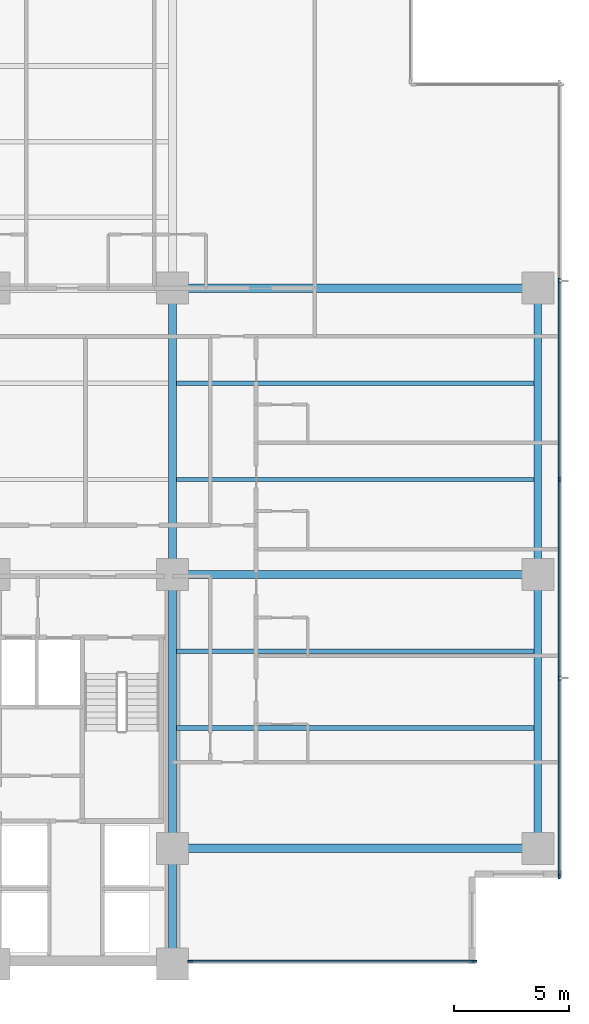
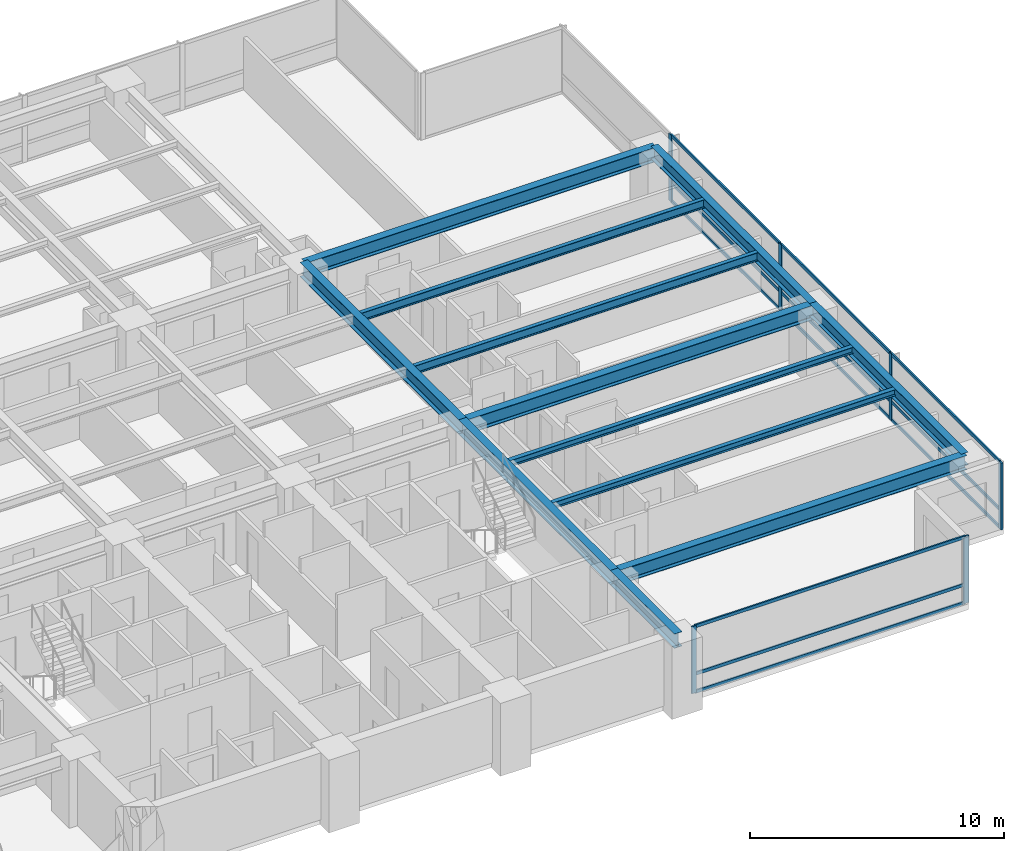
# One storey, part 3 of 17: 18 members, 12 beams, 2 elements without a shape of their own.
"""IFC4 building model written with IfcOpenShell, lengths in metres."""

from ifc_helpers import new_model, si_unit, direction, frame, origin, origin_2d, place, context, subcontext, project, spatial, rectangle, i_section, extrude, material, layer, layer_set, material_profile, profile_set, type_object, element, aggregate, save


model = new_model("IFC4")

# Units and contexts
model_context = context("Model", 3, precision=1e-05, world=origin(), true_north=direction((0.0, 1.0)))
body_context = subcontext(model_context, "Body", "Model", "MODEL_VIEW")
ifc_project = project(units=[si_unit("LENGTHUNIT", "METRE"), si_unit("AREAUNIT", "SQUARE_METRE"), si_unit("VOLUMEUNIT", "CUBIC_METRE"), si_unit("PLANEANGLEUNIT", "RADIAN"), si_unit("MASSUNIT", "GRAM", prefix="KILO")], contexts=[model_context])

# Site, building, storey
site_placement = place(None, origin())
site = spatial("IfcSite", under=ifc_project, at=site_placement, CompositionType="ELEMENT")
building_placement = place(site_placement, origin())
building = spatial("IfcBuilding", under=site, at=building_placement, Name="Qalmaran Belvedere Hotel", CompositionType="ELEMENT")
storey_placement = place(building_placement, frame((0.0, 0.0, 61.39990234375)))
storey = spatial("IfcBuildingStorey", under=building, at=storey_placement, Name="L15", CompositionType="ELEMENT", Elevation=61.39990234375)

# Beams
ifc_material_1 = material(Name="Steel S355JR", Category="steel")
ifc_material_profile_1 = material_profile(ifc_material_1, i_section(OverallWidth=0.202880859375, OverallDepth=0.302978515625, WebThickness=0.007568359375, FlangeThickness=0.01318359375, FilletRadius=0.012939453125, at=origin_2d()), Name="W310X60")
ifc_profile_set_1 = profile_set([ifc_material_profile_1], Name="Steel S355JR")
beam_type_1 = type_object("IfcBeamType", Name="BM-JST-W310X60", PredefinedType="JOIST", material=ifc_profile_set_1)
for number, where, z_axis, x_axis, name in (
    (1, (44.9755859375, 13.800048828125, 3.068603515625), (1.0, 0.0, 0.0), (0.0, 1.0, 0.0), "L15 East Wing Joist 039"),
    (2, (44.9755859375, 17.14990234375, 3.068603515625), (1.0, 0.0, 0.0), (0.0, 1.0, 0.0), "L15 East Wing Joist 041"),
):
    element("IfcBeam", number, at=place(storey_placement, frame(where, z_axis=z_axis, x_axis=x_axis)), inside=storey, type_object=beam_type_1, Name=name, PredefinedType="JOIST", context=body_context, shape_type="SweptSolid", body=[
        extrude(i_section(OverallWidth=0.202880859375, OverallDepth=0.302978515625, WebThickness=0.007568359375, FlangeThickness=0.01318359375, FilletRadius=0.012939453125, at=origin_2d()), origin(), (0.0, 0.0, 1.0), 15.61279296875),
    ])
ifc_material_profile_2 = material_profile(ifc_material_1, i_section(OverallWidth=0.180908203125, OverallDepth=0.4169921875, WebThickness=0.010986328125, FlangeThickness=0.018310546875, FilletRadius=0.014892578125, at=origin_2d()), Name="W410X85")
ifc_profile_set_2 = profile_set([ifc_material_profile_2], Name="Steel S355JR")
beam_type_2 = type_object("IfcBeamType", Name="BM-SB1-W410X85", PredefinedType="BEAM", material=ifc_profile_set_2)
for number, where, z_axis, x_axis, name in (
    (3, (44.9755859375, 24.64990234375, 3.01171875), (1.0, 0.0, 0.0), (0.0, 1.0, 0.0), "L15 East Secondary Beam 032"),
    (4, (44.9755859375, 28.85009765625, 3.01171875), (1.0, 0.0, 0.0), (0.0, 1.0, 0.0), "L15 East Secondary Beam 037"),
):
    element("IfcBeam", number, at=place(storey_placement, frame(where, z_axis=z_axis, x_axis=x_axis)), inside=storey, type_object=beam_type_2, Name=name, PredefinedType="BEAM", context=body_context, shape_type="SweptSolid", body=[
        extrude(i_section(OverallWidth=0.180908203125, OverallDepth=0.4169921875, WebThickness=0.010986328125, FlangeThickness=0.018310546875, FilletRadius=0.014892578125, at=origin_2d()), origin(), (0.0, 0.0, 1.0), 15.61279296875),
    ])
ifc_material_profile_3 = material_profile(ifc_material_1, i_section(OverallWidth=0.326904296875, OverallDepth=0.6220703125, WebThickness=0.015380859375, FlangeThickness=0.0244140625, FilletRadius=0.02001953125, at=origin_2d()), Name="W610X195")
ifc_profile_set_3 = profile_set([ifc_material_profile_3], Name="Steel S355JR")
beam_type_3 = type_object("IfcBeamType", Name="BM-SP1-W610X195", PredefinedType="SPANDREL", material=ifc_profile_set_3)
beam_1_placement = place(storey_placement, frame((60.75, 8.550048828125, 2.9091796875), z_axis=(0.0, 1.0, 0.0), x_axis=(-1.0, 0.0, 0.0)))
element("IfcBeam", 5, at=beam_1_placement, inside=storey, type_object=beam_type_3, Name="L15 Perimeter Spandrel 03", PredefinedType="SPANDREL", context=body_context, shape_type="SweptSolid", body=[
    extrude(i_section(OverallWidth=0.326904296875, OverallDepth=0.6220703125, WebThickness=0.015380859375, FlangeThickness=0.0244140625, FilletRadius=0.02001953125, at=origin_2d()), origin(), (0.0, 0.0, 1.0), 11.949951171875),
])
beam_2_placement = place(storey_placement, frame((60.75, 20.5, 2.9091796875), z_axis=(0.0, 1.0, 0.0), x_axis=(-1.0, 0.0, 0.0)))
element("IfcBeam", 6, at=beam_2_placement, inside=storey, type_object=beam_type_3, Name="L15 Perimeter Spandrel 04", PredefinedType="SPANDREL", context=body_context, shape_type="SweptSolid", body=[
    extrude(i_section(OverallWidth=0.326904296875, OverallDepth=0.6220703125, WebThickness=0.015380859375, FlangeThickness=0.0244140625, FilletRadius=0.02001953125, at=origin_2d()), origin(), (0.0, 0.0, 1.0), 12.5),
])
ifc_material_profile_4 = material_profile(ifc_material_1, i_section(OverallWidth=0.35498046875, OverallDepth=0.695068359375, WebThickness=0.015380859375, FlangeThickness=0.02490234375, FilletRadius=0.02197265625, at=origin_2d()), Name="W690X217")
ifc_profile_set_4 = profile_set([ifc_material_profile_4], Name="Steel S355JR")
beam_type_4 = type_object("IfcBeamType", Name="BM-Z1-W690X217", PredefinedType="USERDEFINED", material=ifc_profile_set_4)
beam_3_placement = place(storey_placement, frame((44.800048828125, 20.5, 2.87255859375), z_axis=(0.0, 1.0, 0.0), x_axis=(-1.0, 0.0, 0.0)))
element("IfcBeam", 7, at=beam_3_placement, inside=storey, type_object=beam_type_4, Name="L15 Mid-Plate N-S Girder 20", ObjectType="GIRDER", PredefinedType="USERDEFINED", context=body_context, shape_type="SweptSolid", body=[
    extrude(i_section(OverallWidth=0.35498046875, OverallDepth=0.695068359375, WebThickness=0.015380859375, FlangeThickness=0.02490234375, FilletRadius=0.02197265625, at=origin_2d()), origin(), (0.0, 0.0, 1.0), 12.5),
])
beam_4_placement = place(storey_placement, frame((44.800048828125, 3.5, 2.87255859375), z_axis=(0.0, 1.0, 0.0), x_axis=(-1.0, 0.0, 0.0)))
element("IfcBeam", 8, at=beam_4_placement, inside=storey, type_object=beam_type_4, Name="L15 East Core Edge Girder A", ObjectType="GIRDER", PredefinedType="USERDEFINED", context=body_context, shape_type="SweptSolid", body=[
    extrude(i_section(OverallWidth=0.35498046875, OverallDepth=0.695068359375, WebThickness=0.015380859375, FlangeThickness=0.02490234375, FilletRadius=0.02197265625, at=origin_2d()), origin(), (0.0, 0.0, 1.0), 5.050048828125),
])
beam_5_placement = place(storey_placement, frame((44.800048828125, 8.550048828125, 2.87255859375), z_axis=(0.0, 1.0, 0.0), x_axis=(-1.0, 0.0, 0.0)))
element("IfcBeam", 9, at=beam_5_placement, inside=storey, type_object=beam_type_4, Name="L15 East Core Edge Girder B", ObjectType="GIRDER", PredefinedType="USERDEFINED", context=body_context, shape_type="SweptSolid", body=[
    extrude(i_section(OverallWidth=0.35498046875, OverallDepth=0.695068359375, WebThickness=0.015380859375, FlangeThickness=0.02490234375, FilletRadius=0.02197265625, at=origin_2d()), origin(), (0.0, 0.0, 1.0), 11.949951171875),
])
for number, where, z_axis, x_axis, name in (
    (10, (44.800048828125, 8.550048828125, 2.87255859375), (1.0, 0.0, 0.0), (0.0, 1.0, 0.0), "L15 East Wing Girder 25"),
    (11, (44.800048828125, 20.5, 2.87255859375), (1.0, 0.0, 0.0), (0.0, 1.0, 0.0), "L15 East Wing Girder 26"),
    (12, (44.800048828125, 33.0, 2.87255859375), (1.0, 0.0, 0.0), (0.0, 1.0, 0.0), "L15 East Wing Girder 27"),
):
    element("IfcBeam", number, at=place(storey_placement, frame(where, z_axis=z_axis, x_axis=x_axis)), inside=storey, type_object=beam_type_4, Name=name, ObjectType="GIRDER", PredefinedType="USERDEFINED", context=body_context, shape_type="SweptSolid", body=[
        extrude(i_section(OverallWidth=0.35498046875, OverallDepth=0.695068359375, WebThickness=0.015380859375, FlangeThickness=0.02490234375, FilletRadius=0.02197265625, at=origin_2d()), origin(), (0.0, 0.0, 1.0), 15.949951171875),
    ])

# Curtain wall, members
ifc_material_2 = material(Name="Anodised Bronze Aluminium", Category="aluminium")
ifc_layer = layer(ifc_material_2, 0.2099609375, Name="Anodised Bronze Aluminium")
ifc_layer_set = layer_set([ifc_layer], Name="Anodised Bronze Aluminium")
curtain_wall_type = type_object("IfcCurtainWallType", Name="CW2-TOWER-LOWER", PredefinedType="NOTDEFINED", material=ifc_layer_set)
curtain_wall_1_placement = place(storey_placement, origin())
curtain_wall_1 = element("IfcCurtainWall", 13, at=curtain_wall_1_placement, inside=storey, type_object=curtain_wall_type, Name="L15 Curtain Wall CW2", PredefinedType="NOTDEFINED")
ifc_material_profile_5 = material_profile(ifc_material_2, rectangle(XDim=0.074951171875, YDim=0.219970703125, at=origin_2d()), Name="CWM75X220")
ifc_profile_set_5 = profile_set([ifc_material_profile_5], Name="Anodised Bronze Aluminium")
member_type_1 = type_object("IfcMemberType", Name="CWM-75X220", PredefinedType="MULLION", material=ifc_profile_set_5)
member_1_placement = place(storey_placement, frame((45.577392578125, 3.6201171875, 0.0), z_axis=(0.0, 0.0, 1.0), x_axis=(0.0, 1.0, 0.0)))
member_1 = element("IfcMember", 14, at=member_1_placement, type_object=member_type_1, Name="CW2 mullion 1", PredefinedType="MULLION", context=body_context, shape_type="SweptSolid", body=[
    extrude(rectangle(XDim=0.074951171875, YDim=0.219970703125, at=origin_2d()), origin(), (0.0, 0.0, 1.0), 3.22021484375),
])
member_2_placement = place(storey_placement, frame((57.96240234375, 3.6201171875, 0.0), z_axis=(0.0, 0.0, 1.0), x_axis=(0.0, 1.0, 0.0)))
member_2 = element("IfcMember", 15, at=member_2_placement, type_object=member_type_1, Name="CW2 mullion 2", PredefinedType="MULLION", context=body_context, shape_type="SweptSolid", body=[
    extrude(rectangle(XDim=0.074951171875, YDim=0.219970703125, at=origin_2d()), origin(), (0.0, 0.0, 1.0), 3.22021484375),
])

curtain_wall_2_placement = place(storey_placement, origin())
curtain_wall_2 = element("IfcCurtainWall", 16, at=curtain_wall_2_placement, inside=storey, type_object=curtain_wall_type, Name="L15 Curtain Wall CW2", PredefinedType="NOTDEFINED")
member_3_placement = place(storey_placement, frame((61.679931640625, 7.33740234375, 0.0), z_axis=(0.0, 0.0, 1.0), x_axis=(-1.0, 0.0, 0.0)))
member_3 = element("IfcMember", 17, at=member_3_placement, type_object=member_type_1, Name="CW2 mullion 1", PredefinedType="MULLION", context=body_context, shape_type="SweptSolid", body=[
    extrude(rectangle(XDim=0.074951171875, YDim=0.219970703125, at=origin_2d()), origin(), (0.0, 0.0, 1.0), 3.22021484375),
])
member_4_placement = place(storey_placement, frame((61.679931640625, 15.97509765625, 0.0), z_axis=(0.0, 0.0, 1.0), x_axis=(-1.0, 0.0, 0.0)))
member_4 = element("IfcMember", 18, at=member_4_placement, type_object=member_type_1, Name="CW2 mullion 2", PredefinedType="MULLION", context=body_context, shape_type="SweptSolid", body=[
    extrude(rectangle(XDim=0.074951171875, YDim=0.219970703125, at=origin_2d()), origin(), (0.0, 0.0, 1.0), 3.22021484375),
])
member_5_placement = place(storey_placement, frame((61.679931640625, 24.64990234375, 0.0), z_axis=(0.0, 0.0, 1.0), x_axis=(-1.0, 0.0, 0.0)))
member_5 = element("IfcMember", 19, at=member_5_placement, type_object=member_type_1, Name="CW2 mullion 3", PredefinedType="MULLION", context=body_context, shape_type="SweptSolid", body=[
    extrude(rectangle(XDim=0.074951171875, YDim=0.219970703125, at=origin_2d()), origin(), (0.0, 0.0, 1.0), 3.22021484375),
])
member_6_placement = place(storey_placement, frame((61.679931640625, 33.324951171875, 0.0), z_axis=(0.0, 0.0, 1.0), x_axis=(-1.0, 0.0, 0.0)))
member_6 = element("IfcMember", 20, at=member_6_placement, type_object=member_type_1, Name="CW2 mullion 4", PredefinedType="MULLION", context=body_context, shape_type="SweptSolid", body=[
    extrude(rectangle(XDim=0.074951171875, YDim=0.219970703125, at=origin_2d()), origin(), (0.0, 0.0, 1.0), 3.22021484375),
])

# Member
ifc_material_profile_6 = material_profile(ifc_material_2, rectangle(XDim=0.070068359375, YDim=0.14990234375, at=origin_2d()), Name="CWT70X150")
ifc_profile_set_6 = profile_set([ifc_material_profile_6], Name="Anodised Bronze Aluminium")
member_type_2 = type_object("IfcMemberType", Name="CWT-70X150", PredefinedType="USERDEFINED", material=ifc_profile_set_6)
member_7_placement = place(storey_placement, frame((45.614990234375, 3.6201171875, 0.03515625), z_axis=(1.0, 0.0, 0.0), x_axis=(0.0, 1.0, 0.0)))
member_7 = element("IfcMember", 21, at=member_7_placement, type_object=member_type_2, Name="CW2 transom 1.1", ObjectType="TRANSOM", PredefinedType="USERDEFINED", context=body_context, shape_type="SweptSolid", body=[
    extrude(rectangle(XDim=0.070068359375, YDim=0.14990234375, at=origin_2d()), origin(), (0.0, 0.0, 1.0), 12.31005859375),
])

member_8_placement = place(storey_placement, frame((45.614990234375, 3.6201171875, 0.901611328125), z_axis=(1.0, 0.0, 0.0), x_axis=(0.0, 1.0, 0.0)))
member_8 = element("IfcMember", 22, at=member_8_placement, type_object=member_type_2, Name="CW2 transom 1.2", ObjectType="TRANSOM", PredefinedType="USERDEFINED", context=body_context, shape_type="SweptSolid", body=[
    extrude(rectangle(XDim=0.070068359375, YDim=0.14990234375, at=origin_2d()), origin(), (0.0, 0.0, 1.0), 12.31005859375),
])

member_9_placement = place(storey_placement, frame((45.614990234375, 3.6201171875, 3.18505859375), z_axis=(1.0, 0.0, 0.0), x_axis=(0.0, 1.0, 0.0)))
member_9 = element("IfcMember", 23, at=member_9_placement, type_object=member_type_2, Name="CW2 transom 1.3", ObjectType="TRANSOM", PredefinedType="USERDEFINED", context=body_context, shape_type="SweptSolid", body=[
    extrude(rectangle(XDim=0.070068359375, YDim=0.14990234375, at=origin_2d()), origin(), (0.0, 0.0, 1.0), 12.31005859375),
])

aggregate(curtain_wall_1, [member_1, member_2, member_7, member_8, member_9])

member_10_placement = place(storey_placement, frame((61.679931640625, 7.375, 0.03515625), z_axis=(0.0, 1.0, 0.0), x_axis=(-1.0, 0.0, 0.0)))
member_10 = element("IfcMember", 24, at=member_10_placement, type_object=member_type_2, Name="CW2 transom 1.1", ObjectType="TRANSOM", PredefinedType="USERDEFINED", context=body_context, shape_type="SweptSolid", body=[
    extrude(rectangle(XDim=0.070068359375, YDim=0.14990234375, at=origin_2d()), origin(), (0.0, 0.0, 1.0), 8.5625),
])

member_11_placement = place(storey_placement, frame((61.679931640625, 7.375, 0.901611328125), z_axis=(0.0, 1.0, 0.0), x_axis=(-1.0, 0.0, 0.0)))
member_11 = element("IfcMember", 25, at=member_11_placement, type_object=member_type_2, Name="CW2 transom 1.2", ObjectType="TRANSOM", PredefinedType="USERDEFINED", context=body_context, shape_type="SweptSolid", body=[
    extrude(rectangle(XDim=0.070068359375, YDim=0.14990234375, at=origin_2d()), origin(), (0.0, 0.0, 1.0), 8.5625),
])

member_12_placement = place(storey_placement, frame((61.679931640625, 7.375, 3.18505859375), z_axis=(0.0, 1.0, 0.0), x_axis=(-1.0, 0.0, 0.0)))
member_12 = element("IfcMember", 26, at=member_12_placement, type_object=member_type_2, Name="CW2 transom 1.3", ObjectType="TRANSOM", PredefinedType="USERDEFINED", context=body_context, shape_type="SweptSolid", body=[
    extrude(rectangle(XDim=0.070068359375, YDim=0.14990234375, at=origin_2d()), origin(), (0.0, 0.0, 1.0), 8.5625),
])

member_13_placement = place(storey_placement, frame((61.679931640625, 16.012451171875, 0.03515625), z_axis=(0.0, 1.0, 0.0), x_axis=(-1.0, 0.0, 0.0)))
member_13 = element("IfcMember", 27, at=member_13_placement, type_object=member_type_2, Name="CW2 transom 2.1", ObjectType="TRANSOM", PredefinedType="USERDEFINED", context=body_context, shape_type="SweptSolid", body=[
    extrude(rectangle(XDim=0.070068359375, YDim=0.14990234375, at=origin_2d()), origin(), (0.0, 0.0, 1.0), 8.60009765625),
])

member_14_placement = place(storey_placement, frame((61.679931640625, 16.012451171875, 0.901611328125), z_axis=(0.0, 1.0, 0.0), x_axis=(-1.0, 0.0, 0.0)))
member_14 = element("IfcMember", 28, at=member_14_placement, type_object=member_type_2, Name="CW2 transom 2.2", ObjectType="TRANSOM", PredefinedType="USERDEFINED", context=body_context, shape_type="SweptSolid", body=[
    extrude(rectangle(XDim=0.070068359375, YDim=0.14990234375, at=origin_2d()), origin(), (0.0, 0.0, 1.0), 8.60009765625),
])

member_15_placement = place(storey_placement, frame((61.679931640625, 16.012451171875, 3.18505859375), z_axis=(0.0, 1.0, 0.0), x_axis=(-1.0, 0.0, 0.0)))
member_15 = element("IfcMember", 29, at=member_15_placement, type_object=member_type_2, Name="CW2 transom 2.3", ObjectType="TRANSOM", PredefinedType="USERDEFINED", context=body_context, shape_type="SweptSolid", body=[
    extrude(rectangle(XDim=0.070068359375, YDim=0.14990234375, at=origin_2d()), origin(), (0.0, 0.0, 1.0), 8.60009765625),
])

member_16_placement = place(storey_placement, frame((61.679931640625, 24.6875, 0.03515625), z_axis=(0.0, 1.0, 0.0), x_axis=(-1.0, 0.0, 0.0)))
member_16 = element("IfcMember", 30, at=member_16_placement, type_object=member_type_2, Name="CW2 transom 3.1", ObjectType="TRANSOM", PredefinedType="USERDEFINED", context=body_context, shape_type="SweptSolid", body=[
    extrude(rectangle(XDim=0.070068359375, YDim=0.14990234375, at=origin_2d()), origin(), (0.0, 0.0, 1.0), 8.60009765625),
])

member_17_placement = place(storey_placement, frame((61.679931640625, 24.6875, 0.901611328125), z_axis=(0.0, 1.0, 0.0), x_axis=(-1.0, 0.0, 0.0)))
member_17 = element("IfcMember", 31, at=member_17_placement, type_object=member_type_2, Name="CW2 transom 3.2", ObjectType="TRANSOM", PredefinedType="USERDEFINED", context=body_context, shape_type="SweptSolid", body=[
    extrude(rectangle(XDim=0.070068359375, YDim=0.14990234375, at=origin_2d()), origin(), (0.0, 0.0, 1.0), 8.60009765625),
])

member_18_placement = place(storey_placement, frame((61.679931640625, 24.6875, 3.18505859375), z_axis=(0.0, 1.0, 0.0), x_axis=(-1.0, 0.0, 0.0)))
member_18 = element("IfcMember", 32, at=member_18_placement, type_object=member_type_2, Name="CW2 transom 3.3", ObjectType="TRANSOM", PredefinedType="USERDEFINED", context=body_context, shape_type="SweptSolid", body=[
    extrude(rectangle(XDim=0.070068359375, YDim=0.14990234375, at=origin_2d()), origin(), (0.0, 0.0, 1.0), 8.60009765625),
])

aggregate(curtain_wall_2, [member_3, member_4, member_5, member_6, member_10, member_11, member_12, member_13, member_14, member_15, member_16, member_17, member_18])

save(model, "model.ifc")
